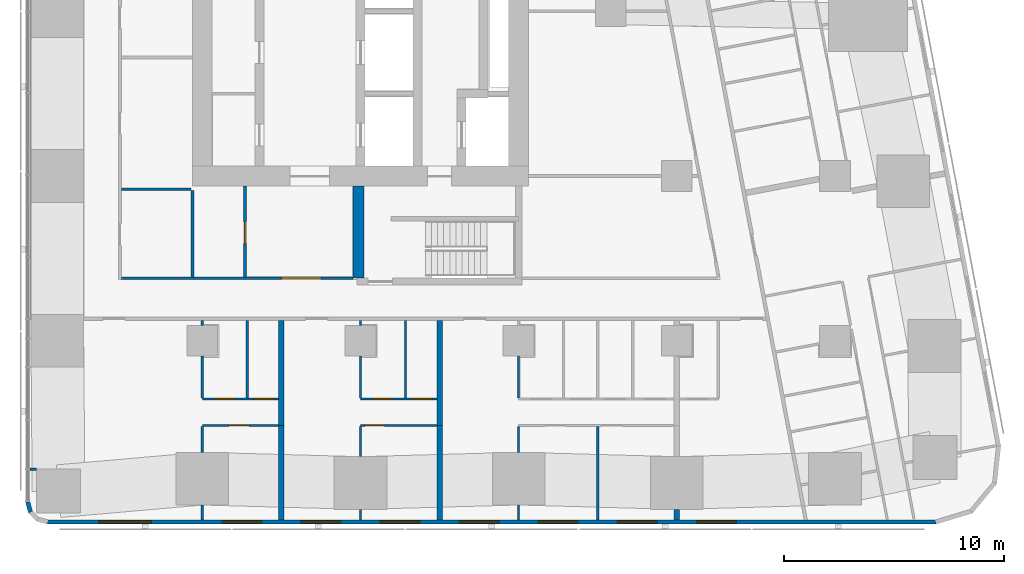
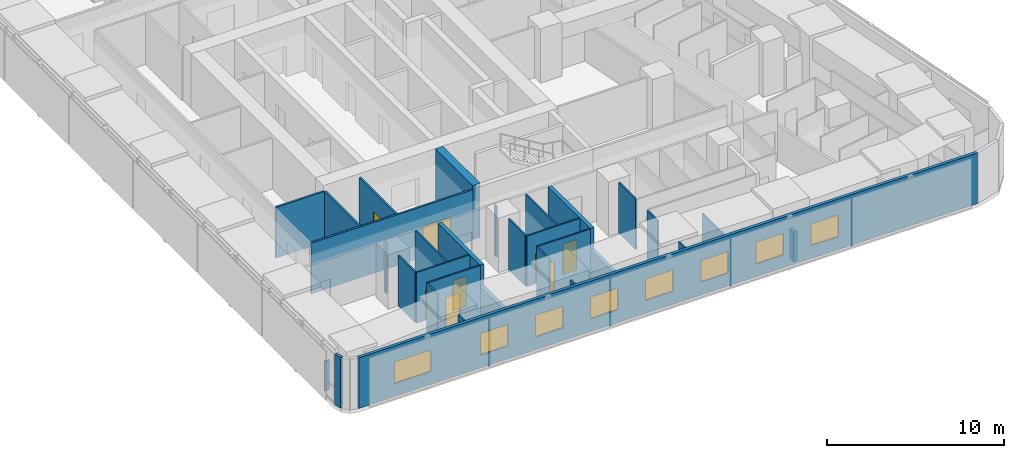
# One storey, part 7 of 17: 31 walls, 8 doors, 8 windows, 16 openings.
"""IFC4 building model written with IfcOpenShell, lengths in metres."""

from ifc_helpers import new_model, si_unit, direction, frame, frame_2d, origin, place, context, subcontext, project, spatial, rectangle, extrude, material, layer, layer_set, type_object, element, fill, save


model = new_model("IFC4")

# Units and contexts
model_context = context("Model", 3, precision=1e-05, world=origin(), true_north=direction((0.0, 1.0)))
body_context = subcontext(model_context, "Body", "Model", "MODEL_VIEW")
ifc_project = project(units=[si_unit("LENGTHUNIT", "METRE"), si_unit("AREAUNIT", "SQUARE_METRE"), si_unit("VOLUMEUNIT", "CUBIC_METRE"), si_unit("PLANEANGLEUNIT", "RADIAN"), si_unit("MASSUNIT", "GRAM", prefix="KILO")], contexts=[model_context])

# Site, building, storey
site_placement = place(None, origin())
site = spatial("IfcSite", under=ifc_project, at=site_placement, CompositionType="ELEMENT")
building_placement = place(site_placement, origin())
building = spatial("IfcBuilding", under=site, at=building_placement, Name="Sheger Commons Tower", CompositionType="ELEMENT")
storey_placement = place(building_placement, frame((0.0, 0.0, 208.699951171875)))
storey = spatial("IfcBuildingStorey", under=building, at=storey_placement, Name="L53", CompositionType="ELEMENT", Elevation=208.699951171875)

# Walls
ifc_material_1 = material(Name="Dense concrete block masonry, plastered both sides (separating wall between flats)", Category="masonry")
ifc_layer_1 = layer(ifc_material_1, 0.25)
ifc_layer_set_1 = layer_set([ifc_layer_1], Name="DEMISING WALL 250")
wall_type_1 = type_object("IfcWallType", Name="DEMISING WALL 250", PredefinedType="SOLIDWALL", material=ifc_layer_set_1)
wall_1_placement = place(storey_placement, frame((18.0, -0.64990234375, 0.0), z_axis=(0.0, 0.0, 1.0), x_axis=(0.0, 1.0, 0.0)))
element("IfcWall", 1, at=wall_1_placement, inside=storey, type_object=wall_type_1, Name="Demising wall L53", PredefinedType="SOLIDWALL", context=body_context, shape_type="SweptSolid", body=[
    extrude(rectangle(XDim=4.2998046875, YDim=0.25, at=frame_2d((2.14990234375, 0.0))), origin(), (0.0, 0.0, 1.0), 2.050048828125),
])
wall_2_placement = place(storey_placement, frame((18.0, 3.64990234375, 0.0), z_axis=(0.0, 0.0, 1.0), x_axis=(0.0, 1.0, 0.0)))
element("IfcWall", 2, at=wall_2_placement, inside=storey, type_object=wall_type_1, Name="Demising wall L53", PredefinedType="SOLIDWALL", context=body_context, shape_type="SweptSolid", body=[
    extrude(rectangle(XDim=4.775146484375, YDim=0.25, at=frame_2d((2.3876953125, 0.0))), origin(), (0.0, 0.0, 1.0), 3.5),
])
wall_3_placement = place(storey_placement, frame((25.199951171875, -0.64990234375, 0.0), z_axis=(0.0, 0.0, 1.0), x_axis=(0.0, 1.0, 0.0)))
element("IfcWall", 3, at=wall_3_placement, inside=storey, type_object=wall_type_1, Name="Demising wall L53", PredefinedType="SOLIDWALL", context=body_context, shape_type="SweptSolid", body=[
    extrude(rectangle(XDim=4.2998046875, YDim=0.25, at=frame_2d((2.14990234375, 0.0))), origin(), (0.0, 0.0, 1.0), 2.050048828125),
])
wall_4_placement = place(storey_placement, frame((25.199951171875, 3.64990234375, 0.0), z_axis=(0.0, 0.0, 1.0), x_axis=(0.0, 1.0, 0.0)))
element("IfcWall", 4, at=wall_4_placement, inside=storey, type_object=wall_type_1, Name="Demising wall L53", PredefinedType="SOLIDWALL", context=body_context, shape_type="SweptSolid", body=[
    extrude(rectangle(XDim=4.775146484375, YDim=0.25, at=frame_2d((2.3876953125, 0.0))), origin(), (0.0, 0.0, 1.0), 3.5),
])
wall_5_placement = place(storey_placement, frame((36.0, -0.64990234375, 0.0), z_axis=(0.0, 0.0, 1.0), x_axis=(0.0, 1.0, 0.0)))
element("IfcWall", 5, at=wall_5_placement, inside=storey, type_object=wall_type_1, Name="Demising wall L53", PredefinedType="SOLIDWALL", context=body_context, shape_type="SweptSolid", body=[
    extrude(rectangle(XDim=0.473876953125, YDim=0.25, at=frame_2d((0.23681640625, 0.0))), origin(), (0.0, 0.0, 1.0), 2.050048828125),
])

# Wall, openings, windows
ifc_material_2 = material(Name="Rendered concrete block masonry, dark grey", Category="masonry")
ifc_layer_2 = layer(ifc_material_2, 0.199951171875)
ifc_layer_set_2 = layer_set([ifc_layer_2], Name="FACADE WALL 200")
wall_type_2 = type_object("IfcWallType", Name="FACADE WALL 200", PredefinedType="SOLIDWALL", material=ifc_layer_set_2)
wall_6_placement = place(storey_placement, frame((7.363037109375, -0.75, 0.0), z_axis=(0.0, 0.0, 1.0), x_axis=(1.0, 0.0, 0.0)))
wall_6 = element("IfcWall", 6, at=wall_6_placement, inside=storey, type_object=wall_type_2, Name="Facade wall L53", PredefinedType="SOLIDWALL", context=body_context, shape_type="SweptSolid", body=[
    extrude(rectangle(XDim=40.427978515625, YDim=0.199951171875, at=frame_2d((20.2138671875, 0.0))), origin(), (0.0, 0.0, 1.0), 3.5),
])
opening_1_placement = place(wall_6_placement, frame((2.319091796875, 0.0, 0.89990234375)))
opening_1 = element("IfcOpeningElement", 7, at=opening_1_placement, cuts=wall_6, Name="Opening W1", PredefinedType="OPENING", context=body_context, shape_type="SweptSolid", body=[
    extrude(rectangle(XDim=2.39990234375, YDim=1.5, at=frame_2d((1.199951171875, 0.75))), frame((0.0, 0.10986328125, 0.0), z_axis=(0.0, -1.0, 0.0), x_axis=(1.0, 0.0, 0.0)), (0.0, 0.0, 1.0), 0.219970703125),
])
opening_2_placement = place(wall_6_placement, frame((7.93701171875, 0.0, 0.89990234375)))
opening_2 = element("IfcOpeningElement", 8, at=opening_2_placement, cuts=wall_6, Name="Opening W2", PredefinedType="OPENING", context=body_context, shape_type="SweptSolid", body=[
    extrude(rectangle(XDim=1.800048828125, YDim=1.5, at=frame_2d((0.89990234375, 0.75))), frame((0.0, 0.10986328125, 0.0), z_axis=(0.0, -1.0, 0.0), x_axis=(1.0, 0.0, 0.0)), (0.0, 0.0, 1.0), 0.219970703125),
])
opening_3_placement = place(wall_6_placement, frame((11.537109375, 0.0, 0.89990234375)))
opening_3 = element("IfcOpeningElement", 9, at=opening_3_placement, cuts=wall_6, Name="Opening W2", PredefinedType="OPENING", context=body_context, shape_type="SweptSolid", body=[
    extrude(rectangle(XDim=1.800048828125, YDim=1.5, at=frame_2d((0.89990234375, 0.75))), frame((0.0, 0.10986328125, 0.0), z_axis=(0.0, -1.0, 0.0), x_axis=(1.0, 0.0, 0.0)), (0.0, 0.0, 1.0), 0.219970703125),
])
opening_4_placement = place(wall_6_placement, frame((15.136962890625, 0.0, 0.89990234375)))
opening_4 = element("IfcOpeningElement", 10, at=opening_4_placement, cuts=wall_6, Name="Opening W2", PredefinedType="OPENING", context=body_context, shape_type="SweptSolid", body=[
    extrude(rectangle(XDim=1.800048828125, YDim=1.5, at=frame_2d((0.89990234375, 0.75))), frame((0.0, 0.10986328125, 0.0), z_axis=(0.0, -1.0, 0.0), x_axis=(1.0, 0.0, 0.0)), (0.0, 0.0, 1.0), 0.219970703125),
])
opening_5_placement = place(wall_6_placement, frame((18.737060546875, 0.0, 0.89990234375)))
opening_5 = element("IfcOpeningElement", 11, at=opening_5_placement, cuts=wall_6, Name="Opening W2", PredefinedType="OPENING", context=body_context, shape_type="SweptSolid", body=[
    extrude(rectangle(XDim=1.800048828125, YDim=1.5, at=frame_2d((0.89990234375, 0.75))), frame((0.0, 0.10986328125, 0.0), z_axis=(0.0, -1.0, 0.0), x_axis=(1.0, 0.0, 0.0)), (0.0, 0.0, 1.0), 0.219970703125),
])
opening_6_placement = place(wall_6_placement, frame((22.3369140625, 0.0, 0.89990234375)))
opening_6 = element("IfcOpeningElement", 12, at=opening_6_placement, cuts=wall_6, Name="Opening W2", PredefinedType="OPENING", context=body_context, shape_type="SweptSolid", body=[
    extrude(rectangle(XDim=1.800048828125, YDim=1.5, at=frame_2d((0.89990234375, 0.75))), frame((0.0, 0.10986328125, 0.0), z_axis=(0.0, -1.0, 0.0), x_axis=(1.0, 0.0, 0.0)), (0.0, 0.0, 1.0), 0.219970703125),
])
opening_7_placement = place(wall_6_placement, frame((25.93701171875, 0.0, 0.89990234375)))
opening_7 = element("IfcOpeningElement", 13, at=opening_7_placement, cuts=wall_6, Name="Opening W2", PredefinedType="OPENING", context=body_context, shape_type="SweptSolid", body=[
    extrude(rectangle(XDim=1.800048828125, YDim=1.5, at=frame_2d((0.89990234375, 0.75))), frame((0.0, 0.10986328125, 0.0), z_axis=(0.0, -1.0, 0.0), x_axis=(1.0, 0.0, 0.0)), (0.0, 0.0, 1.0), 0.219970703125),
])
opening_8_placement = place(wall_6_placement, frame((29.537109375, 0.0, 0.89990234375)))
opening_8 = element("IfcOpeningElement", 14, at=opening_8_placement, cuts=wall_6, Name="Opening W2", PredefinedType="OPENING", context=body_context, shape_type="SweptSolid", body=[
    extrude(rectangle(XDim=1.800048828125, YDim=1.5, at=frame_2d((0.89990234375, 0.75))), frame((0.0, 0.10986328125, 0.0), z_axis=(0.0, -1.0, 0.0), x_axis=(1.0, 0.0, 0.0)), (0.0, 0.0, 1.0), 0.219970703125),
])
ifc_material_3 = material(Name="Black aluminium frame, dark tinted double glazing", Category="aluminium")
window_type_1 = type_object("IfcWindowType", Name="WINDOW W1 2400x1500", PartitioningType="SINGLE_PANEL", PredefinedType="WINDOW", material=ifc_material_3)
window_1_placement = place(opening_1_placement, origin())
window_1 = element("IfcWindow", 15, at=window_1_placement, inside=storey, type_object=window_type_1, Name="Window W1 2400X1500", OverallHeight=1.5, OverallWidth=2.39990234375, PartitioningType="SINGLE_PANEL", PredefinedType="WINDOW", context=body_context, shape_type="SweptSolid", body=[
    extrude(rectangle(XDim=2.39990234375, YDim=1.5, at=frame_2d((1.199951171875, 0.75))), frame((0.0, 0.030029296875, 0.0), z_axis=(0.0, -1.0, 0.0), x_axis=(1.0, 0.0, 0.0)), (0.0, 0.0, 1.0), 0.06005859375),
])
fill(opening_1, window_1)
ifc_material_4 = material(Name="Black aluminium frame, dark tinted double glazing", Category="aluminium")
window_type_2 = type_object("IfcWindowType", Name="WINDOW W2 1800x1500", PartitioningType="SINGLE_PANEL", PredefinedType="WINDOW", material=ifc_material_4)
window_2_placement = place(opening_2_placement, origin())
window_2 = element("IfcWindow", 16, at=window_2_placement, inside=storey, type_object=window_type_2, Name="Window W2 1800X1500", OverallHeight=1.5, OverallWidth=1.800048828125, PartitioningType="SINGLE_PANEL", PredefinedType="WINDOW", context=body_context, shape_type="SweptSolid", body=[
    extrude(rectangle(XDim=1.800048828125, YDim=1.5, at=frame_2d((0.89990234375, 0.75))), frame((0.0, 0.030029296875, 0.0), z_axis=(0.0, -1.0, 0.0), x_axis=(1.0, 0.0, 0.0)), (0.0, 0.0, 1.0), 0.06005859375),
])
fill(opening_2, window_2)
window_3_placement = place(opening_3_placement, origin())
window_3 = element("IfcWindow", 17, at=window_3_placement, inside=storey, type_object=window_type_2, Name="Window W2 1800X1500", OverallHeight=1.5, OverallWidth=1.800048828125, PartitioningType="SINGLE_PANEL", PredefinedType="WINDOW", context=body_context, shape_type="SweptSolid", body=[
    extrude(rectangle(XDim=1.800048828125, YDim=1.5, at=frame_2d((0.89990234375, 0.75))), frame((0.0, 0.030029296875, 0.0), z_axis=(0.0, -1.0, 0.0), x_axis=(1.0, 0.0, 0.0)), (0.0, 0.0, 1.0), 0.06005859375),
])
fill(opening_3, window_3)
window_4_placement = place(opening_4_placement, origin())
window_4 = element("IfcWindow", 18, at=window_4_placement, inside=storey, type_object=window_type_2, Name="Window W2 1800X1500", OverallHeight=1.5, OverallWidth=1.800048828125, PartitioningType="SINGLE_PANEL", PredefinedType="WINDOW", context=body_context, shape_type="SweptSolid", body=[
    extrude(rectangle(XDim=1.800048828125, YDim=1.5, at=frame_2d((0.89990234375, 0.75))), frame((0.0, 0.030029296875, 0.0), z_axis=(0.0, -1.0, 0.0), x_axis=(1.0, 0.0, 0.0)), (0.0, 0.0, 1.0), 0.06005859375),
])
fill(opening_4, window_4)
window_5_placement = place(opening_5_placement, origin())
window_5 = element("IfcWindow", 19, at=window_5_placement, inside=storey, type_object=window_type_2, Name="Window W2 1800X1500", OverallHeight=1.5, OverallWidth=1.800048828125, PartitioningType="SINGLE_PANEL", PredefinedType="WINDOW", context=body_context, shape_type="SweptSolid", body=[
    extrude(rectangle(XDim=1.800048828125, YDim=1.5, at=frame_2d((0.89990234375, 0.75))), frame((0.0, 0.030029296875, 0.0), z_axis=(0.0, -1.0, 0.0), x_axis=(1.0, 0.0, 0.0)), (0.0, 0.0, 1.0), 0.06005859375),
])
fill(opening_5, window_5)
window_6_placement = place(opening_6_placement, origin())
window_6 = element("IfcWindow", 20, at=window_6_placement, inside=storey, type_object=window_type_2, Name="Window W2 1800X1500", OverallHeight=1.5, OverallWidth=1.800048828125, PartitioningType="SINGLE_PANEL", PredefinedType="WINDOW", context=body_context, shape_type="SweptSolid", body=[
    extrude(rectangle(XDim=1.800048828125, YDim=1.5, at=frame_2d((0.89990234375, 0.75))), frame((0.0, 0.030029296875, 0.0), z_axis=(0.0, -1.0, 0.0), x_axis=(1.0, 0.0, 0.0)), (0.0, 0.0, 1.0), 0.06005859375),
])
fill(opening_6, window_6)
window_7_placement = place(opening_7_placement, origin())
window_7 = element("IfcWindow", 21, at=window_7_placement, inside=storey, type_object=window_type_2, Name="Window W2 1800X1500", OverallHeight=1.5, OverallWidth=1.800048828125, PartitioningType="SINGLE_PANEL", PredefinedType="WINDOW", context=body_context, shape_type="SweptSolid", body=[
    extrude(rectangle(XDim=1.800048828125, YDim=1.5, at=frame_2d((0.89990234375, 0.75))), frame((0.0, 0.030029296875, 0.0), z_axis=(0.0, -1.0, 0.0), x_axis=(1.0, 0.0, 0.0)), (0.0, 0.0, 1.0), 0.06005859375),
])
fill(opening_7, window_7)
window_8_placement = place(opening_8_placement, origin())
window_8 = element("IfcWindow", 22, at=window_8_placement, inside=storey, type_object=window_type_2, Name="Window W2 1800X1500", OverallHeight=1.5, OverallWidth=1.800048828125, PartitioningType="SINGLE_PANEL", PredefinedType="WINDOW", context=body_context, shape_type="SweptSolid", body=[
    extrude(rectangle(XDim=1.800048828125, YDim=1.5, at=frame_2d((0.89990234375, 0.75))), frame((0.0, 0.030029296875, 0.0), z_axis=(0.0, -1.0, 0.0), x_axis=(1.0, 0.0, 0.0)), (0.0, 0.0, 1.0), 0.06005859375),
])
fill(opening_8, window_8)

# Walls
wall_7_placement = place(storey_placement, frame((6.449951171875, 0.1630859375, 0.0), z_axis=(0.0, 0.0, 1.0), x_axis=(0.259698463175, -0.965689757751, 0.0)))
element("IfcWall", 23, at=wall_7_placement, inside=storey, type_object=wall_type_2, Name="Facade wall L53", PredefinedType="SOLIDWALL", context=body_context, shape_type="SweptSolid", body=[
    extrude(rectangle(XDim=0.4775390625, YDim=0.199951171875, at=frame_2d((0.23876953125, 0.0))), origin(), (0.0, 0.0, 1.0), 3.5),
])
ifc_material_5 = material(Name="Gypsum board on steel studs", Category="steel")
ifc_layer_3 = layer(ifc_material_5, 0.10009765625)
ifc_layer_set_3 = layer_set([ifc_layer_3], Name="PARTITION 100")
wall_type_3 = type_object("IfcWallType", Name="PARTITION 100", PredefinedType="PARTITIONING", material=ifc_layer_set_3)
wall_8_placement = place(storey_placement, frame((6.550048828125, 1.654052734375, 0.0), z_axis=(0.0, 0.0, 1.0), x_axis=(1.0, 0.0, 0.0)))
element("IfcWall", 24, at=wall_8_placement, inside=storey, type_object=wall_type_3, Name="Partition L53", PredefinedType="PARTITIONING", context=body_context, shape_type="SweptSolid", body=[
    extrude(rectangle(XDim=0.303955078125, YDim=0.10009765625, at=frame_2d((0.15185546875, 0.0))), origin(), (0.0, 0.0, 1.0), 2.050048828125),
])

# Wall, opening, door
wall_9_placement = place(storey_placement, frame((17.875, 3.64990234375, 0.0), z_axis=(0.0, 0.0, 1.0), x_axis=(-1.0, 0.0, 0.0)))
wall_9 = element("IfcWall", 25, at=wall_9_placement, inside=storey, type_object=wall_type_3, Name="Partition L53", PredefinedType="PARTITIONING", context=body_context, shape_type="SweptSolid", body=[
    extrude(rectangle(XDim=3.47509765625, YDim=0.10009765625, at=frame_2d((1.737548828125, 0.0))), origin(), (0.0, 0.0, 1.0), 3.5),
])
opening_9_placement = place(wall_9_placement, frame((1.35009765625, 0.0, 0.0)))
opening_9 = element("IfcOpeningElement", 26, at=opening_9_placement, cuts=wall_9, Name="Opening D2", PredefinedType="OPENING", context=body_context, shape_type="SweptSolid", body=[
    extrude(rectangle(XDim=0.89990234375, YDim=2.10009765625, at=frame_2d((0.449951171875, 1.050048828125))), frame((0.0, 0.06005859375, 0.0), z_axis=(0.0, -1.0, 0.0), x_axis=(1.0, 0.0, 0.0)), (0.0, 0.0, 1.0), 0.1201171875),
])
ifc_material_6 = material(Name="Timber door set", Category="wood")
door_type_1 = type_object("IfcDoorType", Name="INTERNAL DOOR 900x2100", OperationType="NOTDEFINED", PredefinedType="DOOR", material=ifc_material_6)
door_1_placement = place(opening_9_placement, origin())
door_1 = element("IfcDoor", 27, at=door_1_placement, inside=storey, type_object=door_type_1, Name="Main bedroom door", OperationType="SINGLE_SWING_RIGHT", OverallHeight=2.10009765625, OverallWidth=0.89990234375, PredefinedType="DOOR", context=body_context, shape_type="SweptSolid", body=[
    extrude(rectangle(XDim=0.89990234375, YDim=2.10009765625, at=frame_2d((0.449951171875, 1.050048828125))), frame((0.0, 0.02490234375, 0.0), z_axis=(0.0, -1.0, 0.0), x_axis=(1.0, 0.0, 0.0)), (0.0, 0.0, 1.0), 0.050048828125),
])
fill(opening_9, door_1)

# Wall, openings, doors
wall_10_placement = place(storey_placement, frame((17.875, 4.85009765625, 0.0), z_axis=(0.0, 0.0, 1.0), x_axis=(-1.0, 0.0, 0.0)))
wall_10 = element("IfcWall", 28, at=wall_10_placement, inside=storey, type_object=wall_type_3, Name="Partition L53", PredefinedType="PARTITIONING", context=body_context, shape_type="SweptSolid", body=[
    extrude(rectangle(XDim=3.47509765625, YDim=0.10009765625, at=frame_2d((1.737548828125, 0.0))), origin(), (0.0, 0.0, 1.0), 3.5),
])
opening_10_placement = place(wall_10_placement, frame((2.0, 0.0, 0.0)))
opening_10 = element("IfcOpeningElement", 29, at=opening_10_placement, cuts=wall_10, Name="Opening D2", PredefinedType="OPENING", context=body_context, shape_type="SweptSolid", body=[
    extrude(rectangle(XDim=0.89990234375, YDim=2.10009765625, at=frame_2d((0.449951171875, 1.050048828125))), frame((0.0, 0.06005859375, 0.0), z_axis=(0.0, -1.0, 0.0), x_axis=(1.0, 0.0, 0.0)), (0.0, 0.0, 1.0), 0.1201171875),
])
opening_11_placement = place(wall_10_placement, frame((0.199951171875, 0.0, 0.0)))
opening_11 = element("IfcOpeningElement", 30, at=opening_11_placement, cuts=wall_10, Name="Opening D2", PredefinedType="OPENING", context=body_context, shape_type="SweptSolid", body=[
    extrude(rectangle(XDim=0.89990234375, YDim=2.10009765625, at=frame_2d((0.449951171875, 1.050048828125))), frame((0.0, 0.06005859375, 0.0), z_axis=(0.0, -1.0, 0.0), x_axis=(1.0, 0.0, 0.0)), (0.0, 0.0, 1.0), 0.1201171875),
])
door_2_placement = place(opening_10_placement, origin())
door_2 = element("IfcDoor", 31, at=door_2_placement, inside=storey, type_object=door_type_1, Name="Bathroom door", OperationType="SINGLE_SWING_LEFT", OverallHeight=2.10009765625, OverallWidth=0.89990234375, PredefinedType="DOOR", context=body_context, shape_type="SweptSolid", body=[
    extrude(rectangle(XDim=0.89990234375, YDim=2.10009765625, at=frame_2d((0.449951171875, 1.050048828125))), frame((0.0, 0.02490234375, 0.0), z_axis=(0.0, -1.0, 0.0), x_axis=(1.0, 0.0, 0.0)), (0.0, 0.0, 1.0), 0.050048828125),
])
fill(opening_10, door_2)
door_3_placement = place(opening_11_placement, origin())
door_3 = element("IfcDoor", 32, at=door_3_placement, inside=storey, type_object=door_type_1, Name="Store door", OperationType="SINGLE_SWING_RIGHT", OverallHeight=2.10009765625, OverallWidth=0.89990234375, PredefinedType="DOOR", context=body_context, shape_type="SweptSolid", body=[
    extrude(rectangle(XDim=0.89990234375, YDim=2.10009765625, at=frame_2d((0.449951171875, 1.050048828125))), frame((0.0, 0.02490234375, 0.0), z_axis=(0.0, -1.0, 0.0), x_axis=(1.0, 0.0, 0.0)), (0.0, 0.0, 1.0), 0.050048828125),
])
fill(opening_11, door_3)

# Walls
wall_11_placement = place(storey_placement, frame((14.39990234375, -0.64990234375, 0.0), z_axis=(0.0, 0.0, 1.0), x_axis=(0.0, 1.0, 0.0)))
element("IfcWall", 33, at=wall_11_placement, inside=storey, type_object=wall_type_3, Name="Partition L53", PredefinedType="PARTITIONING", context=body_context, shape_type="SweptSolid", body=[
    extrude(rectangle(XDim=0.673828125, YDim=0.10009765625, at=frame_2d((0.3369140625, 0.0))), origin(), (0.0, 0.0, 1.0), 3.5),
])
wall_12_placement = place(storey_placement, frame((14.39990234375, 2.426025390625, 0.0), z_axis=(0.0, 0.0, 1.0), x_axis=(0.0, 1.0, 0.0)))
element("IfcWall", 34, at=wall_12_placement, inside=storey, type_object=wall_type_3, Name="Partition L53", PredefinedType="PARTITIONING", context=body_context, shape_type="SweptSolid", body=[
    extrude(rectangle(XDim=1.174072265625, YDim=0.10009765625, at=frame_2d((0.5869140625, 0.0))), origin(), (0.0, 0.0, 1.0), 3.5),
])
wall_13_placement = place(storey_placement, frame((14.39990234375, 4.89990234375, 0.0), z_axis=(0.0, 0.0, 1.0), x_axis=(0.0, 1.0, 0.0)))
element("IfcWall", 35, at=wall_13_placement, inside=storey, type_object=wall_type_3, Name="Partition L53", PredefinedType="PARTITIONING", context=body_context, shape_type="SweptSolid", body=[
    extrude(rectangle(XDim=1.899169921875, YDim=0.10009765625, at=frame_2d((0.94970703125, 0.0))), origin(), (0.0, 0.0, 1.0), 3.5),
])
wall_14_placement = place(storey_placement, frame((14.39990234375, 8.200927734375, 0.0), z_axis=(0.0, 0.0, 1.0), x_axis=(0.0, 1.0, 0.0)))
element("IfcWall", 36, at=wall_14_placement, inside=storey, type_object=wall_type_3, Name="Partition L53", PredefinedType="PARTITIONING", context=body_context, shape_type="SweptSolid", body=[
    extrude(rectangle(XDim=0.22412109375, YDim=0.10009765625, at=frame_2d((0.112060546875, 0.0))), origin(), (0.0, 0.0, 1.0), 3.5),
])
wall_15_placement = place(storey_placement, frame((16.449951171875, 4.89990234375, 0.0), z_axis=(0.0, 0.0, 1.0), x_axis=(0.0, 1.0, 0.0)))
element("IfcWall", 37, at=wall_15_placement, inside=storey, type_object=wall_type_3, Name="Partition L53", PredefinedType="PARTITIONING", context=body_context, shape_type="SweptSolid", body=[
    extrude(rectangle(XDim=3.525146484375, YDim=0.10009765625, at=frame_2d((1.7626953125, 0.0))), origin(), (0.0, 0.0, 1.0), 3.5),
])

# Wall, opening, door
wall_16_placement = place(storey_placement, frame((25.074951171875, 3.64990234375, 0.0), z_axis=(0.0, 0.0, 1.0), x_axis=(-1.0, 0.0, 0.0)))
wall_16 = element("IfcWall", 38, at=wall_16_placement, inside=storey, type_object=wall_type_3, Name="Partition L53", PredefinedType="PARTITIONING", context=body_context, shape_type="SweptSolid", body=[
    extrude(rectangle(XDim=3.474853515625, YDim=0.10009765625, at=frame_2d((1.7373046875, 0.0))), origin(), (0.0, 0.0, 1.0), 3.5),
])
opening_12_placement = place(wall_16_placement, frame((2.375, 0.0, 0.0)))
opening_12 = element("IfcOpeningElement", 39, at=opening_12_placement, cuts=wall_16, Name="Opening D2", PredefinedType="OPENING", context=body_context, shape_type="SweptSolid", body=[
    extrude(rectangle(XDim=0.89990234375, YDim=2.10009765625, at=frame_2d((0.449951171875, 1.050048828125))), frame((0.0, 0.06005859375, 0.0), z_axis=(0.0, -1.0, 0.0), x_axis=(1.0, 0.0, 0.0)), (0.0, 0.0, 1.0), 0.1201171875),
])
door_4_placement = place(opening_12_placement, origin())
door_4 = element("IfcDoor", 40, at=door_4_placement, inside=storey, type_object=door_type_1, Name="Main bedroom door", OperationType="SINGLE_SWING_RIGHT", OverallHeight=2.10009765625, OverallWidth=0.89990234375, PredefinedType="DOOR", context=body_context, shape_type="SweptSolid", body=[
    extrude(rectangle(XDim=0.89990234375, YDim=2.10009765625, at=frame_2d((0.449951171875, 1.050048828125))), frame((0.0, 0.02490234375, 0.0), z_axis=(0.0, -1.0, 0.0), x_axis=(1.0, 0.0, 0.0)), (0.0, 0.0, 1.0), 0.050048828125),
])
fill(opening_12, door_4)

# Wall, openings, doors
wall_17_placement = place(storey_placement, frame((25.074951171875, 4.85009765625, 0.0), z_axis=(0.0, 0.0, 1.0), x_axis=(-1.0, 0.0, 0.0)))
wall_17 = element("IfcWall", 41, at=wall_17_placement, inside=storey, type_object=wall_type_3, Name="Partition L53", PredefinedType="PARTITIONING", context=body_context, shape_type="SweptSolid", body=[
    extrude(rectangle(XDim=3.474853515625, YDim=0.10009765625, at=frame_2d((1.7373046875, 0.0))), origin(), (0.0, 0.0, 1.0), 3.5),
])
opening_13_placement = place(wall_17_placement, frame((2.0, 0.0, 0.0)))
opening_13 = element("IfcOpeningElement", 42, at=opening_13_placement, cuts=wall_17, Name="Opening D2", PredefinedType="OPENING", context=body_context, shape_type="SweptSolid", body=[
    extrude(rectangle(XDim=0.89990234375, YDim=2.10009765625, at=frame_2d((0.449951171875, 1.050048828125))), frame((0.0, 0.06005859375, 0.0), z_axis=(0.0, -1.0, 0.0), x_axis=(1.0, 0.0, 0.0)), (0.0, 0.0, 1.0), 0.1201171875),
])
opening_14_placement = place(wall_17_placement, frame((0.199951171875, 0.0, 0.0)))
opening_14 = element("IfcOpeningElement", 43, at=opening_14_placement, cuts=wall_17, Name="Opening D2", PredefinedType="OPENING", context=body_context, shape_type="SweptSolid", body=[
    extrude(rectangle(XDim=0.89990234375, YDim=2.10009765625, at=frame_2d((0.449951171875, 1.050048828125))), frame((0.0, 0.06005859375, 0.0), z_axis=(0.0, -1.0, 0.0), x_axis=(1.0, 0.0, 0.0)), (0.0, 0.0, 1.0), 0.1201171875),
])
door_5_placement = place(opening_13_placement, origin())
door_5 = element("IfcDoor", 44, at=door_5_placement, inside=storey, type_object=door_type_1, Name="Bathroom door", OperationType="SINGLE_SWING_LEFT", OverallHeight=2.10009765625, OverallWidth=0.89990234375, PredefinedType="DOOR", context=body_context, shape_type="SweptSolid", body=[
    extrude(rectangle(XDim=0.89990234375, YDim=2.10009765625, at=frame_2d((0.449951171875, 1.050048828125))), frame((0.0, 0.02490234375, 0.0), z_axis=(0.0, -1.0, 0.0), x_axis=(1.0, 0.0, 0.0)), (0.0, 0.0, 1.0), 0.050048828125),
])
fill(opening_13, door_5)
door_6_placement = place(opening_14_placement, origin())
door_6 = element("IfcDoor", 45, at=door_6_placement, inside=storey, type_object=door_type_1, Name="Store door", OperationType="SINGLE_SWING_RIGHT", OverallHeight=2.10009765625, OverallWidth=0.89990234375, PredefinedType="DOOR", context=body_context, shape_type="SweptSolid", body=[
    extrude(rectangle(XDim=0.89990234375, YDim=2.10009765625, at=frame_2d((0.449951171875, 1.050048828125))), frame((0.0, 0.02490234375, 0.0), z_axis=(0.0, -1.0, 0.0), x_axis=(1.0, 0.0, 0.0)), (0.0, 0.0, 1.0), 0.050048828125),
])
fill(opening_14, door_6)

# Walls
wall_18_placement = place(storey_placement, frame((21.60009765625, -0.64990234375, 0.0), z_axis=(0.0, 0.0, 1.0), x_axis=(0.0, 1.0, 0.0)))
element("IfcWall", 46, at=wall_18_placement, inside=storey, type_object=wall_type_3, Name="Partition L53", PredefinedType="PARTITIONING", context=body_context, shape_type="SweptSolid", body=[
    extrude(rectangle(XDim=0.473876953125, YDim=0.10009765625, at=frame_2d((0.23681640625, 0.0))), origin(), (0.0, 0.0, 1.0), 3.5),
])
wall_19_placement = place(storey_placement, frame((21.60009765625, 2.22607421875, 0.0), z_axis=(0.0, 0.0, 1.0), x_axis=(0.0, 1.0, 0.0)))
element("IfcWall", 47, at=wall_19_placement, inside=storey, type_object=wall_type_3, Name="Partition L53", PredefinedType="PARTITIONING", context=body_context, shape_type="SweptSolid", body=[
    extrude(rectangle(XDim=1.3740234375, YDim=0.10009765625, at=frame_2d((0.68701171875, 0.0))), origin(), (0.0, 0.0, 1.0), 3.5),
])
wall_20_placement = place(storey_placement, frame((21.60009765625, 4.89990234375, 0.0), z_axis=(0.0, 0.0, 1.0), x_axis=(0.0, 1.0, 0.0)))
element("IfcWall", 48, at=wall_20_placement, inside=storey, type_object=wall_type_3, Name="Partition L53", PredefinedType="PARTITIONING", context=body_context, shape_type="SweptSolid", body=[
    extrude(rectangle(XDim=1.899169921875, YDim=0.10009765625, at=frame_2d((0.94970703125, 0.0))), origin(), (0.0, 0.0, 1.0), 3.5),
])
wall_21_placement = place(storey_placement, frame((21.60009765625, 8.200927734375, 0.0), z_axis=(0.0, 0.0, 1.0), x_axis=(0.0, 1.0, 0.0)))
element("IfcWall", 49, at=wall_21_placement, inside=storey, type_object=wall_type_3, Name="Partition L53", PredefinedType="PARTITIONING", context=body_context, shape_type="SweptSolid", body=[
    extrude(rectangle(XDim=0.22412109375, YDim=0.10009765625, at=frame_2d((0.112060546875, 0.0))), origin(), (0.0, 0.0, 1.0), 3.5),
])
wall_22_placement = place(storey_placement, frame((23.64990234375, 4.89990234375, 0.0), z_axis=(0.0, 0.0, 1.0), x_axis=(0.0, 1.0, 0.0)))
element("IfcWall", 50, at=wall_22_placement, inside=storey, type_object=wall_type_3, Name="Partition L53", PredefinedType="PARTITIONING", context=body_context, shape_type="SweptSolid", body=[
    extrude(rectangle(XDim=3.525146484375, YDim=0.10009765625, at=frame_2d((1.7626953125, 0.0))), origin(), (0.0, 0.0, 1.0), 3.5),
])
wall_23_placement = place(storey_placement, frame((28.800048828125, -0.64990234375, 0.0), z_axis=(0.0, 0.0, 1.0), x_axis=(0.0, 1.0, 0.0)))
element("IfcWall", 51, at=wall_23_placement, inside=storey, type_object=wall_type_3, Name="Partition L53", PredefinedType="PARTITIONING", context=body_context, shape_type="SweptSolid", body=[
    extrude(rectangle(XDim=0.673828125, YDim=0.10009765625, at=frame_2d((0.3369140625, 0.0))), origin(), (0.0, 0.0, 1.0), 3.5),
])
wall_24_placement = place(storey_placement, frame((28.800048828125, 2.426025390625, 0.0), z_axis=(0.0, 0.0, 1.0), x_axis=(0.0, 1.0, 0.0)))
element("IfcWall", 52, at=wall_24_placement, inside=storey, type_object=wall_type_3, Name="Partition L53", PredefinedType="PARTITIONING", context=body_context, shape_type="SweptSolid", body=[
    extrude(rectangle(XDim=1.174072265625, YDim=0.10009765625, at=frame_2d((0.5869140625, 0.0))), origin(), (0.0, 0.0, 1.0), 3.5),
])
wall_25_placement = place(storey_placement, frame((32.39990234375, -0.64990234375, 0.0), z_axis=(0.0, 0.0, 1.0), x_axis=(0.0, 1.0, 0.0)))
element("IfcWall", 53, at=wall_25_placement, inside=storey, type_object=wall_type_3, Name="Partition L53", PredefinedType="PARTITIONING", context=body_context, shape_type="SweptSolid", body=[
    extrude(rectangle(XDim=4.25, YDim=0.10009765625, at=frame_2d((2.125, 0.0))), origin(), (0.0, 0.0, 1.0), 2.050048828125),
])
wall_26_placement = place(storey_placement, frame((28.800048828125, 4.89990234375, 0.0), z_axis=(0.0, 0.0, 1.0), x_axis=(0.0, 1.0, 0.0)))
element("IfcWall", 54, at=wall_26_placement, inside=storey, type_object=wall_type_3, Name="Partition L53", PredefinedType="PARTITIONING", context=body_context, shape_type="SweptSolid", body=[
    extrude(rectangle(XDim=1.899169921875, YDim=0.10009765625, at=frame_2d((0.94970703125, 0.0))), origin(), (0.0, 0.0, 1.0), 3.5),
])
ifc_material_7 = material(Name="Gypsum board on steel studs, two layers each side, fire rated", Category="steel")
ifc_layer_4 = layer(ifc_material_7, 0.125)
ifc_layer_set_4 = layer_set([ifc_layer_4], Name="SERVICE WALL 125")
wall_type_4 = type_object("IfcWallType", Name="SERVICE WALL 125", PredefinedType="PARTITIONING", material=ifc_layer_set_4)
wall_27_placement = place(storey_placement, frame((10.712890625, 14.39990234375, 0.0), z_axis=(0.0, 0.0, 1.0), x_axis=(1.0, 0.0, 0.0)))
element("IfcWall", 55, at=wall_27_placement, inside=storey, type_object=wall_type_4, Name="Service room wall L53", PredefinedType="PARTITIONING", context=body_context, shape_type="SweptSolid", body=[
    extrude(rectangle(XDim=3.175048828125, YDim=0.125, at=frame_2d((1.58740234375, 0.0))), origin(), (0.0, 0.0, 1.0), 3.5),
])
wall_28_placement = place(storey_placement, frame((13.949951171875, 10.4130859375, 0.0), z_axis=(0.0, 0.0, 1.0), x_axis=(0.0, 1.0, 0.0)))
element("IfcWall", 56, at=wall_28_placement, inside=storey, type_object=wall_type_4, Name="Service room wall L53", PredefinedType="PARTITIONING", context=body_context, shape_type="SweptSolid", body=[
    extrude(rectangle(XDim=3.9248046875, YDim=0.125, at=frame_2d((1.96240234375, 0.0))), origin(), (0.0, 0.0, 1.0), 3.5),
])

# Wall, opening, door
wall_29_placement = place(storey_placement, frame((10.712890625, 10.35009765625, 0.0), z_axis=(0.0, 0.0, 1.0), x_axis=(1.0, 0.0, 0.0)))
wall_29 = element("IfcWall", 57, at=wall_29_placement, inside=storey, type_object=wall_type_4, Name="Service room wall L53", PredefinedType="PARTITIONING", context=body_context, shape_type="SweptSolid", body=[
    extrude(rectangle(XDim=10.537109375, YDim=0.125, at=frame_2d((5.2685546875, 0.0))), origin(), (0.0, 0.0, 1.0), 3.5),
])
opening_15_placement = place(wall_29_placement, frame((7.281982421875, 0.0, 0.0)))
opening_15 = element("IfcOpeningElement", 58, at=opening_15_placement, cuts=wall_29, Name="Opening D6", PredefinedType="OPENING", context=body_context, shape_type="SweptSolid", body=[
    extrude(rectangle(XDim=1.800048828125, YDim=2.10009765625, at=frame_2d((0.89990234375, 1.050048828125))), frame((0.0, 0.072509765625, 0.0), z_axis=(0.0, -1.0, 0.0), x_axis=(1.0, 0.0, 0.0)), (0.0, 0.0, 1.0), 0.14501953125),
])
ifc_material_8 = material(Name="Steel door set, fire rated", Category="steel")
door_type_2 = type_object("IfcDoorType", Name="LOBBY DOUBLE DOOR 1800x2100", OperationType="DOUBLE_DOOR_SINGLE_SWING", PredefinedType="DOOR", material=ifc_material_8)
door_7_placement = place(opening_15_placement, origin())
door_7 = element("IfcDoor", 59, at=door_7_placement, inside=storey, type_object=door_type_2, Name="Lift lobby south door", OperationType="DOUBLE_DOOR_SINGLE_SWING", OverallHeight=2.10009765625, OverallWidth=1.800048828125, PredefinedType="DOOR", context=body_context, shape_type="SweptSolid", body=[
    extrude(rectangle(XDim=1.800048828125, YDim=2.10009765625, at=frame_2d((0.89990234375, 1.050048828125))), frame((0.0, 0.02490234375, 0.0), z_axis=(0.0, -1.0, 0.0), x_axis=(1.0, 0.0, 0.0)), (0.0, 0.0, 1.0), 0.050048828125),
])
fill(opening_15, door_7)

wall_30_placement = place(storey_placement, frame((16.340087890625, 10.4130859375, 0.0), z_axis=(0.0, 0.0, 1.0), x_axis=(0.0, 1.0, 0.0)))
wall_30 = element("IfcWall", 60, at=wall_30_placement, inside=storey, type_object=wall_type_4, Name="Service room wall L53", PredefinedType="PARTITIONING", context=body_context, shape_type="SweptSolid", body=[
    extrude(rectangle(XDim=4.136962890625, YDim=0.125, at=frame_2d((2.068359375, 0.0))), origin(), (0.0, 0.0, 1.0), 3.5),
])
opening_16_placement = place(wall_30_placement, frame((1.511962890625, 0.0, 0.0)))
opening_16 = element("IfcOpeningElement", 61, at=opening_16_placement, cuts=wall_30, Name="Opening D4", PredefinedType="OPENING", context=body_context, shape_type="SweptSolid", body=[
    extrude(rectangle(XDim=1.0, YDim=2.10009765625, at=frame_2d((0.5, 1.050048828125))), frame((0.0, 0.072509765625, 0.0), z_axis=(0.0, -1.0, 0.0), x_axis=(1.0, 0.0, 0.0)), (0.0, 0.0, 1.0), 0.14501953125),
])
ifc_material_9 = material(Name="Steel door set, fire rated", Category="steel")
door_type_3 = type_object("IfcDoorType", Name="SERVICE DOOR 1000x2100", OperationType="NOTDEFINED", PredefinedType="DOOR", material=ifc_material_9)
door_8_placement = place(opening_16_placement, origin())
door_8 = element("IfcDoor", 62, at=door_8_placement, inside=storey, type_object=door_type_3, Name="Electrical room door", OperationType="SINGLE_SWING_LEFT", OverallHeight=2.10009765625, OverallWidth=1.0, PredefinedType="DOOR", context=body_context, shape_type="SweptSolid", body=[
    extrude(rectangle(XDim=1.0, YDim=2.10009765625, at=frame_2d((0.5, 1.050048828125))), frame((0.0, 0.02490234375, 0.0), z_axis=(0.0, -1.0, 0.0), x_axis=(1.0, 0.0, 0.0)), (0.0, 0.0, 1.0), 0.050048828125),
])
fill(opening_16, door_8)

# Wall
ifc_material_10 = material(Name="Concrete C50/60", Category="concrete")
ifc_layer_5 = layer(ifc_material_10, 0.5)
ifc_layer_set_5 = layer_set([ifc_layer_5], Name="STAIR CORE WALL 500")
wall_type_5 = type_object("IfcWallType", Name="STAIR CORE WALL 500", PredefinedType="SHEAR", material=ifc_layer_set_5)
wall_31_placement = place(storey_placement, frame((21.5, 10.35009765625, 0.0), z_axis=(0.0, 0.0, 1.0), x_axis=(0.0, 1.0, 0.0)))
element("IfcWall", 63, at=wall_31_placement, inside=storey, type_object=wall_type_5, Name="STW-L53-S1W", PredefinedType="SHEAR", context=body_context, shape_type="SweptSolid", body=[
    extrude(rectangle(XDim=4.199951171875, YDim=0.5, at=frame_2d((2.10009765625, 0.0))), origin(), (0.0, 0.0, 1.0), 3.75),
])

save(model, "model.ifc")
